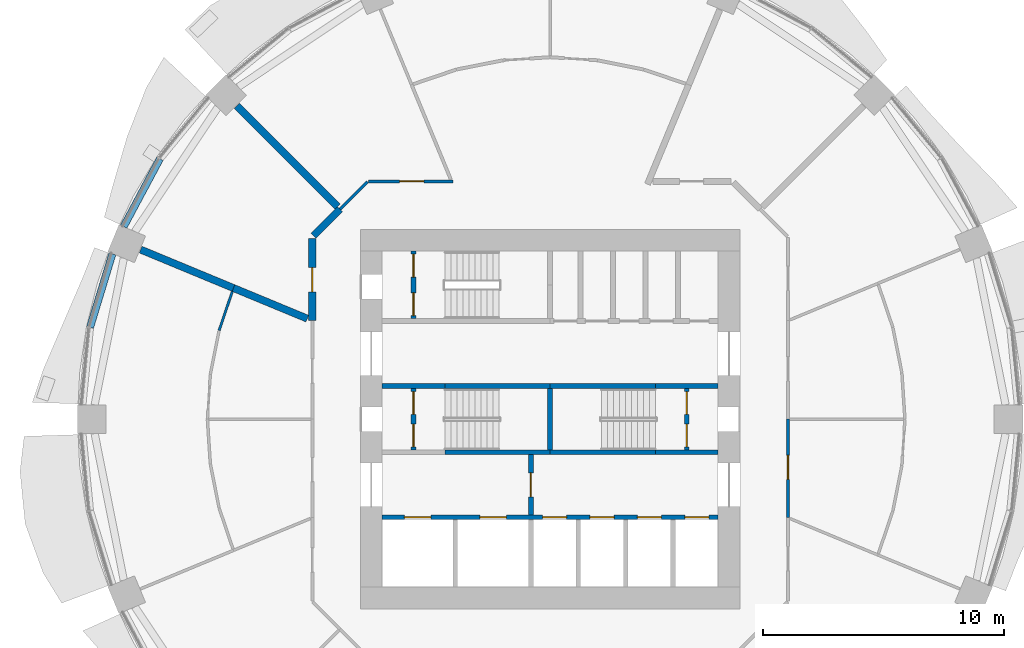
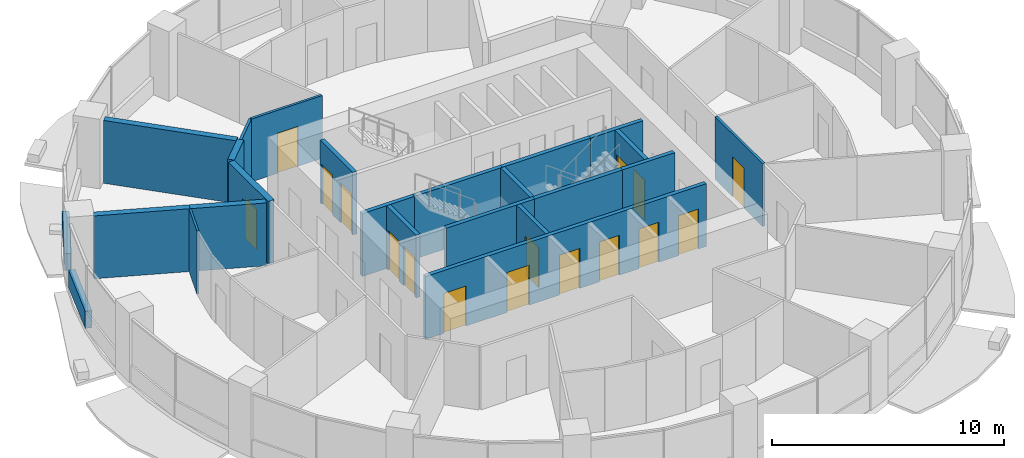
# One storey, part 9 of 15: 24 walls, 16 doors, 16 openings.
"""IFC4 building model written with IfcOpenShell, lengths in metres."""

from ifc_helpers import new_model, si_unit, direction, frame, frame_2d, origin, place, context, subcontext, project, spatial, rectangle, extrude, material, layer, layer_set, type_object, element, fill, save


model = new_model("IFC4")

# Units and contexts
model_context = context("Model", 3, precision=1e-05, world=origin(), true_north=direction((0.0, 1.0)))
body_context = subcontext(model_context, "Body", "Model", "MODEL_VIEW")
ifc_project = project(units=[si_unit("LENGTHUNIT", "METRE"), si_unit("AREAUNIT", "SQUARE_METRE"), si_unit("VOLUMEUNIT", "CUBIC_METRE"), si_unit("PLANEANGLEUNIT", "RADIAN"), si_unit("MASSUNIT", "GRAM", prefix="KILO")], contexts=[model_context])

# Site, building, storey
site_placement = place(None, origin())
site = spatial("IfcSite", under=ifc_project, at=site_placement, CompositionType="ELEMENT")
building_placement = place(site_placement, origin())
building = spatial("IfcBuilding", under=site, at=building_placement, Name="Polderwave Tower", CompositionType="ELEMENT")
storey_placement = place(building_placement, frame((0.0, 0.0, 48.10009765625)))
storey = spatial("IfcBuildingStorey", under=building, at=storey_placement, Name="L12", CompositionType="ELEMENT", Elevation=48.10009765625)

# Wall, opening, door
ifc_material_1 = material(Name="Insulated sandwich panel")
ifc_layer_1 = layer(ifc_material_1, 0.300048828125)
ifc_layer_set_1 = layer_set([ifc_layer_1], Name="Cold room wall 300 mm insulated panel")
wall_type_1 = type_object("IfcWallType", Name="Cold room wall 300 mm insulated panel", PredefinedType="PARTITIONING", material=ifc_layer_set_1)
wall_1_placement = place(storey_placement, frame((-9.8740234375, 4.08984375, 0.0), z_axis=(0.0, 0.0, 1.0), x_axis=(0.0, 1.0, 0.0)))
wall_1 = element("IfcWall", 1, at=wall_1_placement, inside=storey, type_object=wall_type_1, Name="IN-L12-W011", PredefinedType="PARTITIONING", context=body_context, shape_type="SweptSolid", body=[
    extrude(rectangle(XDim=3.419189453125, YDim=0.300048828125, at=frame_2d((1.70947265625, 0.0))), origin(), (0.0, 0.0, 1.0), 3.2998046875),
])
opening_1_placement = place(wall_1_placement, frame((1.199951171875, 0.0, 0.0)))
opening_1 = element("IfcOpeningElement", 2, at=opening_1_placement, cuts=wall_1, Name="Opening L12-D56", PredefinedType="OPENING", context=body_context, shape_type="SweptSolid", body=[
    extrude(rectangle(XDim=1.0, YDim=2.10009765625, at=frame_2d((0.5, 1.050048828125))), frame((0.0, 0.159912109375, 0.0), z_axis=(0.0, -1.0, 0.0), x_axis=(1.0, 0.0, 0.0)), (0.0, 0.0, 1.0), 0.320068359375),
])
ifc_material_2 = material(Name="Steel plant door leaf", Category="steel")
door_type_1 = type_object("IfcDoorType", Name="Plant door FD60 1000 x 2100 steel", OperationType="NOTDEFINED", PredefinedType="DOOR", material=ifc_material_2)
door_1_placement = place(opening_1_placement, origin())
door_1 = element("IfcDoor", 3, at=door_1_placement, inside=storey, type_object=door_type_1, Name="Door L12-D56", OperationType="SINGLE_SWING_LEFT", OverallHeight=2.10009765625, OverallWidth=1.0, PredefinedType="DOOR", context=body_context, shape_type="SweptSolid", body=[
    extrude(rectangle(XDim=1.0, YDim=2.10009765625, at=frame_2d((0.5, 1.050048828125))), frame((0.0, 0.02490234375, 0.0), z_axis=(0.0, -1.0, 0.0), x_axis=(1.0, 0.0, 0.0)), (0.0, 0.0, 1.0), 0.050048828125),
])
fill(opening_1, door_1)

# Walls
wall_2_placement = place(storey_placement, frame((-9.830078125, 7.614990234375, 0.0), z_axis=(0.0, 0.0, 1.0), x_axis=(0.70718471217, 0.707028841614, 0.0)))
element("IfcWall", 4, at=wall_2_placement, inside=storey, type_object=wall_type_1, Name="IN-L12-W012", PredefinedType="PARTITIONING", context=body_context, shape_type="SweptSolid", body=[
    extrude(rectangle(XDim=1.56640625, YDim=0.300048828125, at=frame_2d((0.783203125, 0.0))), origin(), (0.0, 0.0, 1.0), 3.2998046875),
])
wall_3_placement = place(storey_placement, frame((-8.82861328125, 8.82861328125, 0.0), z_axis=(0.0, 0.0, 1.0), x_axis=(-0.707106781187, 0.707106781187, 0.0)))
element("IfcWall", 5, at=wall_3_placement, inside=storey, type_object=wall_type_1, Name="IN-L12-W044", PredefinedType="PARTITIONING", context=body_context, shape_type="SweptSolid", body=[
    extrude(rectangle(XDim=5.914306640625, YDim=0.300048828125, at=frame_2d((2.95703125, 0.0))), origin(), (0.0, 0.0, 1.0), 3.2998046875),
])
wall_4_placement = place(storey_placement, frame((-10.081298828125, 4.17578125, 0.0), z_axis=(0.0, 0.0, 1.0), x_axis=(-0.923876033225, 0.382691880281, 0.0)))
element("IfcWall", 6, at=wall_4_placement, inside=storey, type_object=wall_type_1, Name="IN-L12-W045", PredefinedType="PARTITIONING", context=body_context, shape_type="SweptSolid", body=[
    extrude(rectangle(XDim=3.318115234375, YDim=0.300048828125, at=frame_2d((1.6591796875, 0.0))), origin(), (0.0, 0.0, 1.0), 3.2998046875),
])
wall_5_placement = place(storey_placement, frame((-13.146728515625, 5.445556640625, 0.0), z_axis=(0.0, 0.0, 1.0), x_axis=(-0.923873410436, 0.382698212028, 0.0)))
element("IfcWall", 7, at=wall_5_placement, inside=storey, type_object=wall_type_1, Name="IN-L12-W046", PredefinedType="PARTITIONING", context=body_context, shape_type="SweptSolid", body=[
    extrude(rectangle(XDim=4.170166015625, YDim=0.300048828125, at=frame_2d((2.0849609375, 0.0))), origin(), (0.0, 0.0, 1.0), 3.2998046875),
])
ifc_material_3 = material(Name="Concrete C50/60 (board-marked)", Category="concrete")
ifc_layer_2 = layer(ifc_material_3, 0.300048828125)
ifc_layer_set_2 = layer_set([ifc_layer_2], Name="Concrete spandrel upstand C50/60")
wall_type_2 = type_object("IfcWallType", Name="Concrete spandrel upstand C50/60", PredefinedType="SOLIDWALL", material=ifc_layer_set_2)
wall_6_placement = place(storey_placement, frame((-16.2041015625, 10.808837890625, 0.0), z_axis=(0.0, 0.0, 1.0), x_axis=(-0.471260138764, -0.881994263934, 0.0)))
element("IfcWall", 8, at=wall_6_placement, inside=storey, type_object=wall_type_2, Name="Spandrel L12 7b", PredefinedType="SOLIDWALL", context=body_context, shape_type="SweptSolid", body=[
    extrude(rectangle(XDim=3.1865234375, YDim=0.300048828125, at=frame_2d((1.59326171875, 0.0))), origin(), (0.0, 0.0, 1.0), 0.89990234375),
])
wall_7_placement = place(storey_placement, frame((-18.17529296875, 6.864501953125, 0.0), z_axis=(0.0, 0.0, 1.0), x_axis=(-0.290585541792, -0.956849017819, 0.0)))
element("IfcWall", 9, at=wall_7_placement, inside=storey, type_object=wall_type_2, Name="Spandrel L12 8a", PredefinedType="SOLIDWALL", context=body_context, shape_type="SweptSolid", body=[
    extrude(rectangle(XDim=3.1875, YDim=0.300048828125, at=frame_2d((1.59375, 0.0))), origin(), (0.0, 0.0, 1.0), 0.89990234375),
])

# Wall, opening, door
ifc_material_4 = material(Name="Gypsum board partition")
ifc_layer_3 = layer(ifc_material_4, 0.199951171875)
ifc_layer_set_3 = layer_set([ifc_layer_3], Name="Core room partition 200")
wall_type_3 = type_object("IfcWallType", Name="Core room partition 200", PredefinedType="PARTITIONING", material=ifc_layer_set_3)
wall_8_placement = place(storey_placement, frame((-0.800048828125, -3.97412109375, 0.0), z_axis=(0.0, 0.0, 1.0), x_axis=(0.0, 1.0, 0.0)))
wall_8 = element("IfcWall", 10, at=wall_8_placement, inside=storey, type_object=wall_type_3, Name="L12 fire-fighting lobby wall", PredefinedType="PARTITIONING", context=body_context, shape_type="SweptSolid", body=[
    extrude(rectangle(XDim=2.4990234375, YDim=0.199951171875, at=frame_2d((1.24951171875, 0.0))), origin(), (0.0, 0.0, 1.0), 3.2998046875),
])
opening_2_placement = place(wall_8_placement, frame((0.74951171875, 0.0, 0.0)))
opening_2 = element("IfcOpeningElement", 11, at=opening_2_placement, cuts=wall_8, Name="Opening L12-D13", PredefinedType="OPENING", context=body_context, shape_type="SweptSolid", body=[
    extrude(rectangle(XDim=1.0, YDim=2.10009765625, at=frame_2d((0.5, 1.050048828125))), frame((0.0, 0.10986328125, 0.0), z_axis=(0.0, -1.0, 0.0), x_axis=(1.0, 0.0, 0.0)), (0.0, 0.0, 1.0), 0.219970703125),
])
ifc_material_5 = material(Name="Steel fire door", Category="steel")
door_type_2 = type_object("IfcDoorType", Name="Lobby fire door 1000", OperationType="NOTDEFINED", PredefinedType="DOOR", material=ifc_material_5)
door_2_placement = place(opening_2_placement, frame((1.0, 0.0, 0.0), z_axis=(0.0, 0.0, 1.0), x_axis=(-1.0, 0.0, 0.0)))
door_2 = element("IfcDoor", 12, at=door_2_placement, inside=storey, type_object=door_type_2, Name="Fire-fighting lobby door", OperationType="SINGLE_SWING_LEFT", OverallHeight=2.10009765625, OverallWidth=1.0, PredefinedType="DOOR", context=body_context, shape_type="SweptSolid", body=[
    extrude(rectangle(XDim=1.0, YDim=2.10009765625, at=frame_2d((0.5, 1.050048828125))), frame((0.0, 0.02490234375, 0.0), z_axis=(0.0, -1.0, 0.0), x_axis=(1.0, 0.0, 0.0)), (0.0, 0.0, 1.0), 0.050048828125),
])
fill(opening_2, door_2)

# Wall, openings, doors
wall_9_placement = place(storey_placement, frame((-5.674072265625, -1.27490234375, 0.0), z_axis=(0.0, 0.0, 1.0), x_axis=(0.0, 1.0, 0.0)))
wall_9 = element("IfcWall", 13, at=wall_9_placement, inside=storey, type_object=wall_type_3, Name="L12 smoke lobby wall A", PredefinedType="PARTITIONING", context=body_context, shape_type="SweptSolid", body=[
    extrude(rectangle(XDim=2.5498046875, YDim=0.199951171875, at=frame_2d((1.27490234375, 0.0))), origin(), (0.0, 0.0, 1.0), 3.2998046875),
])
opening_3_placement = place(wall_9_placement, frame((0.125, 0.0, 0.0)))
opening_3 = element("IfcOpeningElement", 14, at=opening_3_placement, cuts=wall_9, Name="Opening L12-D07", PredefinedType="OPENING", context=body_context, shape_type="SweptSolid", body=[
    extrude(rectangle(XDim=0.949951171875, YDim=2.10009765625, at=frame_2d((0.47509765625, 1.050048828125))), frame((0.0, 0.10986328125, 0.0), z_axis=(0.0, -1.0, 0.0), x_axis=(1.0, 0.0, 0.0)), (0.0, 0.0, 1.0), 0.219970703125),
])
opening_4_placement = place(wall_9_placement, frame((1.47509765625, 0.0, 0.0)))
opening_4 = element("IfcOpeningElement", 15, at=opening_4_placement, cuts=wall_9, Name="Opening L12-D08", PredefinedType="OPENING", context=body_context, shape_type="SweptSolid", body=[
    extrude(rectangle(XDim=0.949951171875, YDim=2.10009765625, at=frame_2d((0.47509765625, 1.050048828125))), frame((0.0, 0.10986328125, 0.0), z_axis=(0.0, -1.0, 0.0), x_axis=(1.0, 0.0, 0.0)), (0.0, 0.0, 1.0), 0.219970703125),
])
door_type_3 = type_object("IfcDoorType", Name="Smoke lobby door 950", OperationType="NOTDEFINED", PredefinedType="DOOR", material=ifc_material_5)
door_3_placement = place(opening_3_placement, origin())
door_3 = element("IfcDoor", 16, at=door_3_placement, inside=storey, type_object=door_type_3, Name="Stair A smoke lobby inner door", OperationType="SINGLE_SWING_LEFT", OverallHeight=2.10009765625, OverallWidth=0.949951171875, PredefinedType="DOOR", context=body_context, shape_type="SweptSolid", body=[
    extrude(rectangle(XDim=0.949951171875, YDim=2.10009765625, at=frame_2d((0.47509765625, 1.050048828125))), frame((0.0, 0.02490234375, 0.0), z_axis=(0.0, -1.0, 0.0), x_axis=(1.0, 0.0, 0.0)), (0.0, 0.0, 1.0), 0.050048828125),
])
fill(opening_3, door_3)
door_4_placement = place(opening_4_placement, origin())
door_4 = element("IfcDoor", 17, at=door_4_placement, inside=storey, type_object=door_type_3, Name="Stair A smoke lobby inner door", OperationType="SINGLE_SWING_RIGHT", OverallHeight=2.10009765625, OverallWidth=0.949951171875, PredefinedType="DOOR", context=body_context, shape_type="SweptSolid", body=[
    extrude(rectangle(XDim=0.949951171875, YDim=2.10009765625, at=frame_2d((0.47509765625, 1.050048828125))), frame((0.0, 0.02490234375, 0.0), z_axis=(0.0, -1.0, 0.0), x_axis=(1.0, 0.0, 0.0)), (0.0, 0.0, 1.0), 0.050048828125),
])
fill(opening_4, door_4)

wall_10_placement = place(storey_placement, frame((5.674072265625, -1.27490234375, 0.0), z_axis=(0.0, 0.0, 1.0), x_axis=(0.0, 1.0, 0.0)))
wall_10 = element("IfcWall", 18, at=wall_10_placement, inside=storey, type_object=wall_type_3, Name="L12 smoke lobby wall B", PredefinedType="PARTITIONING", context=body_context, shape_type="SweptSolid", body=[
    extrude(rectangle(XDim=2.5498046875, YDim=0.199951171875, at=frame_2d((1.27490234375, 0.0))), origin(), (0.0, 0.0, 1.0), 3.2998046875),
])
opening_5_placement = place(wall_10_placement, frame((0.125, 0.0, 0.0)))
opening_5 = element("IfcOpeningElement", 19, at=opening_5_placement, cuts=wall_10, Name="Opening L12-D09", PredefinedType="OPENING", context=body_context, shape_type="SweptSolid", body=[
    extrude(rectangle(XDim=0.949951171875, YDim=2.10009765625, at=frame_2d((0.47509765625, 1.050048828125))), frame((0.0, 0.10986328125, 0.0), z_axis=(0.0, -1.0, 0.0), x_axis=(1.0, 0.0, 0.0)), (0.0, 0.0, 1.0), 0.219970703125),
])
opening_6_placement = place(wall_10_placement, frame((1.47509765625, 0.0, 0.0)))
opening_6 = element("IfcOpeningElement", 20, at=opening_6_placement, cuts=wall_10, Name="Opening L12-D10", PredefinedType="OPENING", context=body_context, shape_type="SweptSolid", body=[
    extrude(rectangle(XDim=0.949951171875, YDim=2.10009765625, at=frame_2d((0.47509765625, 1.050048828125))), frame((0.0, 0.10986328125, 0.0), z_axis=(0.0, -1.0, 0.0), x_axis=(1.0, 0.0, 0.0)), (0.0, 0.0, 1.0), 0.219970703125),
])
door_5_placement = place(opening_5_placement, frame((0.949951171875, 0.0, 0.0), z_axis=(0.0, 0.0, 1.0), x_axis=(-1.0, 0.0, 0.0)))
door_5 = element("IfcDoor", 21, at=door_5_placement, inside=storey, type_object=door_type_3, Name="Stair B smoke lobby inner door", OperationType="SINGLE_SWING_RIGHT", OverallHeight=2.10009765625, OverallWidth=0.949951171875, PredefinedType="DOOR", context=body_context, shape_type="SweptSolid", body=[
    extrude(rectangle(XDim=0.949951171875, YDim=2.10009765625, at=frame_2d((0.47509765625, 1.050048828125))), frame((0.0, 0.02490234375, 0.0), z_axis=(0.0, -1.0, 0.0), x_axis=(1.0, 0.0, 0.0)), (0.0, 0.0, 1.0), 0.050048828125),
])
fill(opening_5, door_5)
door_6_placement = place(opening_6_placement, frame((0.949951171875, 0.0, 0.0), z_axis=(0.0, 0.0, 1.0), x_axis=(-1.0, 0.0, 0.0)))
door_6 = element("IfcDoor", 22, at=door_6_placement, inside=storey, type_object=door_type_3, Name="Stair B smoke lobby inner door", OperationType="SINGLE_SWING_LEFT", OverallHeight=2.10009765625, OverallWidth=0.949951171875, PredefinedType="DOOR", context=body_context, shape_type="SweptSolid", body=[
    extrude(rectangle(XDim=0.949951171875, YDim=2.10009765625, at=frame_2d((0.47509765625, 1.050048828125))), frame((0.0, 0.02490234375, 0.0), z_axis=(0.0, -1.0, 0.0), x_axis=(1.0, 0.0, 0.0)), (0.0, 0.0, 1.0), 0.050048828125),
])
fill(opening_6, door_6)

wall_11_placement = place(storey_placement, frame((-5.674072265625, 4.174072265625, 0.0), z_axis=(0.0, 0.0, 1.0), x_axis=(0.0, 1.0, 0.0)))
wall_11 = element("IfcWall", 23, at=wall_11_placement, inside=storey, type_object=wall_type_3, Name="L12 smoke lobby wall C", PredefinedType="PARTITIONING", context=body_context, shape_type="SweptSolid", body=[
    extrude(rectangle(XDim=2.800048828125, YDim=0.199951171875, at=frame_2d((1.39990234375, 0.0))), origin(), (0.0, 0.0, 1.0), 3.2998046875),
])
opening_7_placement = place(wall_11_placement, frame((0.125, 0.0, 0.0)))
opening_7 = element("IfcOpeningElement", 24, at=opening_7_placement, cuts=wall_11, Name="Opening L12-D11", PredefinedType="OPENING", context=body_context, shape_type="SweptSolid", body=[
    extrude(rectangle(XDim=0.949951171875, YDim=2.10009765625, at=frame_2d((0.47509765625, 1.050048828125))), frame((0.0, 0.10986328125, 0.0), z_axis=(0.0, -1.0, 0.0), x_axis=(1.0, 0.0, 0.0)), (0.0, 0.0, 1.0), 0.219970703125),
])
opening_8_placement = place(wall_11_placement, frame((1.72509765625, 0.0, 0.0)))
opening_8 = element("IfcOpeningElement", 25, at=opening_8_placement, cuts=wall_11, Name="Opening L12-D12", PredefinedType="OPENING", context=body_context, shape_type="SweptSolid", body=[
    extrude(rectangle(XDim=0.949951171875, YDim=2.10009765625, at=frame_2d((0.47509765625, 1.050048828125))), frame((0.0, 0.10986328125, 0.0), z_axis=(0.0, -1.0, 0.0), x_axis=(1.0, 0.0, 0.0)), (0.0, 0.0, 1.0), 0.219970703125),
])
door_7_placement = place(opening_7_placement, origin())
door_7 = element("IfcDoor", 26, at=door_7_placement, inside=storey, type_object=door_type_3, Name="Stair C smoke lobby inner door", OperationType="SINGLE_SWING_LEFT", OverallHeight=2.10009765625, OverallWidth=0.949951171875, PredefinedType="DOOR", context=body_context, shape_type="SweptSolid", body=[
    extrude(rectangle(XDim=0.949951171875, YDim=2.10009765625, at=frame_2d((0.47509765625, 1.050048828125))), frame((0.0, 0.02490234375, 0.0), z_axis=(0.0, -1.0, 0.0), x_axis=(1.0, 0.0, 0.0)), (0.0, 0.0, 1.0), 0.050048828125),
])
fill(opening_7, door_7)
door_8_placement = place(opening_8_placement, origin())
door_8 = element("IfcDoor", 27, at=door_8_placement, inside=storey, type_object=door_type_3, Name="Stair C smoke lobby inner door", OperationType="SINGLE_SWING_RIGHT", OverallHeight=2.10009765625, OverallWidth=0.949951171875, PredefinedType="DOOR", context=body_context, shape_type="SweptSolid", body=[
    extrude(rectangle(XDim=0.949951171875, YDim=2.10009765625, at=frame_2d((0.47509765625, 1.050048828125))), frame((0.0, 0.02490234375, 0.0), z_axis=(0.0, -1.0, 0.0), x_axis=(1.0, 0.0, 0.0)), (0.0, 0.0, 1.0), 0.050048828125),
])
fill(opening_8, door_8)

ifc_material_6 = material(Name="Concrete C50/60", Category="concrete")
ifc_layer_4 = layer(ifc_material_6, 0.199951171875)
ifc_layer_set_4 = layer_set([ifc_layer_4], Name="Core web wall 200")
wall_type_4 = type_object("IfcWallType", Name="Core web wall 200", PredefinedType="SHEAR", material=ifc_layer_set_4)
wall_12_placement = place(storey_placement, frame((-6.97412109375, -4.073974609375, 0.0), z_axis=(0.0, 0.0, 1.0), x_axis=(1.0, 0.0, 0.0)))
wall_12 = element("IfcWall", 28, at=wall_12_placement, inside=storey, type_object=wall_type_4, Name="L12 south front wall", PredefinedType="SHEAR", context=body_context, shape_type="SweptSolid", body=[
    extrude(rectangle(XDim=13.9482421875, YDim=0.199951171875, at=frame_2d((6.97412109375, 0.0))), origin(), (0.0, 0.0, 1.0), 3.2998046875),
])
opening_9_placement = place(wall_12_placement, frame((0.91845703125, 0.0, 0.0)))
opening_9 = element("IfcOpeningElement", 29, at=opening_9_placement, cuts=wall_12, Name="Opening L12-D01", PredefinedType="OPENING", context=body_context, shape_type="SweptSolid", body=[
    extrude(rectangle(XDim=1.10009765625, YDim=2.10009765625, at=frame_2d((0.550048828125, 1.050048828125))), frame((0.0, 0.10986328125, 0.0), z_axis=(0.0, -1.0, 0.0), x_axis=(1.0, 0.0, 0.0)), (0.0, 0.0, 1.0), 0.219970703125),
])
opening_10_placement = place(wall_12_placement, frame((4.055419921875, 0.0, 0.0)))
opening_10 = element("IfcOpeningElement", 30, at=opening_10_placement, cuts=wall_12, Name="Opening L12-D02", PredefinedType="OPENING", context=body_context, shape_type="SweptSolid", body=[
    extrude(rectangle(XDim=1.10009765625, YDim=2.10009765625, at=frame_2d((0.550048828125, 1.050048828125))), frame((0.0, 0.10986328125, 0.0), z_axis=(0.0, -1.0, 0.0), x_axis=(1.0, 0.0, 0.0)), (0.0, 0.0, 1.0), 0.219970703125),
])
opening_11_placement = place(wall_12_placement, frame((6.658203125, 0.0, 0.0)))
opening_11 = element("IfcOpeningElement", 31, at=opening_11_placement, cuts=wall_12, Name="Opening L12-D03", PredefinedType="OPENING", context=body_context, shape_type="SweptSolid", body=[
    extrude(rectangle(XDim=1.0, YDim=2.10009765625, at=frame_2d((0.5, 1.050048828125))), frame((0.0, 0.10986328125, 0.0), z_axis=(0.0, -1.0, 0.0), x_axis=(1.0, 0.0, 0.0)), (0.0, 0.0, 1.0), 0.219970703125),
])
opening_12_placement = place(wall_12_placement, frame((8.626708984375, 0.0, 0.0)))
opening_12 = element("IfcOpeningElement", 32, at=opening_12_placement, cuts=wall_12, Name="Opening L12-D04", PredefinedType="OPENING", context=body_context, shape_type="SweptSolid", body=[
    extrude(rectangle(XDim=1.0, YDim=2.10009765625, at=frame_2d((0.5, 1.050048828125))), frame((0.0, 0.10986328125, 0.0), z_axis=(0.0, -1.0, 0.0), x_axis=(1.0, 0.0, 0.0)), (0.0, 0.0, 1.0), 0.219970703125),
])
opening_13_placement = place(wall_12_placement, frame((10.59521484375, 0.0, 0.0)))
opening_13 = element("IfcOpeningElement", 33, at=opening_13_placement, cuts=wall_12, Name="Opening L12-D05", PredefinedType="OPENING", context=body_context, shape_type="SweptSolid", body=[
    extrude(rectangle(XDim=1.0, YDim=2.10009765625, at=frame_2d((0.5, 1.050048828125))), frame((0.0, 0.10986328125, 0.0), z_axis=(0.0, -1.0, 0.0), x_axis=(1.0, 0.0, 0.0)), (0.0, 0.0, 1.0), 0.219970703125),
])
opening_14_placement = place(wall_12_placement, frame((12.563720703125, 0.0, 0.0)))
opening_14 = element("IfcOpeningElement", 34, at=opening_14_placement, cuts=wall_12, Name="Opening L12-D06", PredefinedType="OPENING", context=body_context, shape_type="SweptSolid", body=[
    extrude(rectangle(XDim=1.0, YDim=2.10009765625, at=frame_2d((0.5, 1.050048828125))), frame((0.0, 0.10986328125, 0.0), z_axis=(0.0, -1.0, 0.0), x_axis=(1.0, 0.0, 0.0)), (0.0, 0.0, 1.0), 0.219970703125),
])
ifc_material_7 = material(Name="Stainless steel", Category="steel")
door_type_4 = type_object("IfcDoorType", Name="Fire-fighting lift landing door 1100", OperationType="DOUBLE_DOOR_SLIDING", PredefinedType="DOOR", material=ifc_material_7)
door_9_placement = place(opening_9_placement, origin())
door_9 = element("IfcDoor", 35, at=door_9_placement, inside=storey, type_object=door_type_4, Name="Fire-fighting lift FF1 landing door", OperationType="DOUBLE_DOOR_SLIDING", OverallHeight=2.10009765625, OverallWidth=1.10009765625, PredefinedType="DOOR", context=body_context, shape_type="SweptSolid", body=[
    extrude(rectangle(XDim=1.10009765625, YDim=2.10009765625, at=frame_2d((0.550048828125, 1.050048828125))), frame((0.0, 0.02490234375, 0.0), z_axis=(0.0, -1.0, 0.0), x_axis=(1.0, 0.0, 0.0)), (0.0, 0.0, 1.0), 0.050048828125),
])
fill(opening_9, door_9)
door_10_placement = place(opening_10_placement, origin())
door_10 = element("IfcDoor", 36, at=door_10_placement, inside=storey, type_object=door_type_4, Name="Fire-fighting lift FF2 landing door", OperationType="DOUBLE_DOOR_SLIDING", OverallHeight=2.10009765625, OverallWidth=1.10009765625, PredefinedType="DOOR", context=body_context, shape_type="SweptSolid", body=[
    extrude(rectangle(XDim=1.10009765625, YDim=2.10009765625, at=frame_2d((0.550048828125, 1.050048828125))), frame((0.0, 0.02490234375, 0.0), z_axis=(0.0, -1.0, 0.0), x_axis=(1.0, 0.0, 0.0)), (0.0, 0.0, 1.0), 0.050048828125),
])
fill(opening_10, door_10)
door_type_5 = type_object("IfcDoorType", Name="Lift landing door 1000", OperationType="DOUBLE_DOOR_SLIDING", PredefinedType="DOOR", material=ifc_material_7)
door_11_placement = place(opening_11_placement, origin())
door_11 = element("IfcDoor", 37, at=door_11_placement, inside=storey, type_object=door_type_5, Name="Lift LL1 landing door", OperationType="DOUBLE_DOOR_SLIDING", OverallHeight=2.10009765625, OverallWidth=1.0, PredefinedType="DOOR", context=body_context, shape_type="SweptSolid", body=[
    extrude(rectangle(XDim=1.0, YDim=2.10009765625, at=frame_2d((0.5, 1.050048828125))), frame((0.0, 0.02490234375, 0.0), z_axis=(0.0, -1.0, 0.0), x_axis=(1.0, 0.0, 0.0)), (0.0, 0.0, 1.0), 0.050048828125),
])
fill(opening_11, door_11)
door_12_placement = place(opening_12_placement, origin())
door_12 = element("IfcDoor", 38, at=door_12_placement, inside=storey, type_object=door_type_5, Name="Lift LL2 landing door", OperationType="DOUBLE_DOOR_SLIDING", OverallHeight=2.10009765625, OverallWidth=1.0, PredefinedType="DOOR", context=body_context, shape_type="SweptSolid", body=[
    extrude(rectangle(XDim=1.0, YDim=2.10009765625, at=frame_2d((0.5, 1.050048828125))), frame((0.0, 0.02490234375, 0.0), z_axis=(0.0, -1.0, 0.0), x_axis=(1.0, 0.0, 0.0)), (0.0, 0.0, 1.0), 0.050048828125),
])
fill(opening_12, door_12)
door_13_placement = place(opening_13_placement, origin())
door_13 = element("IfcDoor", 39, at=door_13_placement, inside=storey, type_object=door_type_5, Name="Lift LL3 landing door", OperationType="DOUBLE_DOOR_SLIDING", OverallHeight=2.10009765625, OverallWidth=1.0, PredefinedType="DOOR", context=body_context, shape_type="SweptSolid", body=[
    extrude(rectangle(XDim=1.0, YDim=2.10009765625, at=frame_2d((0.5, 1.050048828125))), frame((0.0, 0.02490234375, 0.0), z_axis=(0.0, -1.0, 0.0), x_axis=(1.0, 0.0, 0.0)), (0.0, 0.0, 1.0), 0.050048828125),
])
fill(opening_13, door_13)
door_14_placement = place(opening_14_placement, origin())
door_14 = element("IfcDoor", 40, at=door_14_placement, inside=storey, type_object=door_type_5, Name="Lift LL4 landing door", OperationType="DOUBLE_DOOR_SLIDING", OverallHeight=2.10009765625, OverallWidth=1.0, PredefinedType="DOOR", context=body_context, shape_type="SweptSolid", body=[
    extrude(rectangle(XDim=1.0, YDim=2.10009765625, at=frame_2d((0.5, 1.050048828125))), frame((0.0, 0.02490234375, 0.0), z_axis=(0.0, -1.0, 0.0), x_axis=(1.0, 0.0, 0.0)), (0.0, 0.0, 1.0), 0.050048828125),
])
fill(opening_14, door_14)

# Walls
for number, where, z_axis, x_axis, name in (
    (41, (-4.3740234375, -1.375, 0.0), (0.0, 0.0, 1.0), (1.0, 0.0, 0.0), "L12 south stair wall 2"),
    (42, (0.0, -1.375, 0.0), (0.0, 0.0, 1.0), (1.0, 0.0, 0.0), "L12 south stair wall 3"),
):
    element("IfcWall", number, at=place(storey_placement, frame(where, z_axis=z_axis, x_axis=x_axis)), inside=storey, type_object=wall_type_4, Name=name, PredefinedType="SHEAR", context=body_context, shape_type="SweptSolid", body=[
        extrude(rectangle(XDim=4.3740234375, YDim=0.199951171875, at=frame_2d((2.18701171875, 0.0))), origin(), (0.0, 0.0, 1.0), 3.2998046875),
    ])
for number, where, z_axis, x_axis, name in (
    (43, (4.3740234375, -1.375, 0.0), (0.0, 0.0, 1.0), (1.0, 0.0, 0.0), "L12 south stair wall 4"),
    (44, (-6.97412109375, 1.375, 0.0), (0.0, 0.0, 1.0), (1.0, 0.0, 0.0), "L12 north stair wall 1"),
):
    element("IfcWall", number, at=place(storey_placement, frame(where, z_axis=z_axis, x_axis=x_axis)), inside=storey, type_object=wall_type_4, Name=name, PredefinedType="SHEAR", context=body_context, shape_type="SweptSolid", body=[
        extrude(rectangle(XDim=2.60009765625, YDim=0.199951171875, at=frame_2d((1.300048828125, 0.0))), origin(), (0.0, 0.0, 1.0), 3.2998046875),
    ])
for number, where, z_axis, x_axis, name in (
    (45, (-4.3740234375, 1.375, 0.0), (0.0, 0.0, 1.0), (1.0, 0.0, 0.0), "L12 north stair wall 2"),
    (46, (0.0, 1.375, 0.0), (0.0, 0.0, 1.0), (1.0, 0.0, 0.0), "L12 north stair wall 3"),
):
    element("IfcWall", number, at=place(storey_placement, frame(where, z_axis=z_axis, x_axis=x_axis)), inside=storey, type_object=wall_type_4, Name=name, PredefinedType="SHEAR", context=body_context, shape_type="SweptSolid", body=[
        extrude(rectangle(XDim=4.3740234375, YDim=0.199951171875, at=frame_2d((2.18701171875, 0.0))), origin(), (0.0, 0.0, 1.0), 3.2998046875),
    ])
wall_13_placement = place(storey_placement, frame((4.3740234375, 1.375, 0.0), z_axis=(0.0, 0.0, 1.0), x_axis=(1.0, 0.0, 0.0)))
element("IfcWall", 47, at=wall_13_placement, inside=storey, type_object=wall_type_4, Name="L12 north stair wall 4", PredefinedType="SHEAR", context=body_context, shape_type="SweptSolid", body=[
    extrude(rectangle(XDim=2.60009765625, YDim=0.199951171875, at=frame_2d((1.300048828125, 0.0))), origin(), (0.0, 0.0, 1.0), 3.2998046875),
])
wall_14_placement = place(storey_placement, frame((0.0, -1.27490234375, 0.0), z_axis=(0.0, 0.0, 1.0), x_axis=(0.0, 1.0, 0.0)))
element("IfcWall", 48, at=wall_14_placement, inside=storey, type_object=wall_type_4, Name="L12 wall between the stairs", PredefinedType="SHEAR", context=body_context, shape_type="SweptSolid", body=[
    extrude(rectangle(XDim=2.5498046875, YDim=0.199951171875, at=frame_2d((1.27490234375, 0.0))), origin(), (0.0, 0.0, 1.0), 3.2998046875),
])

# Wall, opening, door
ifc_material_8 = material(Name="Fire-resisting board on steel studs", Category="steel")
ifc_layer_5 = layer(ifc_material_8, 0.125)
ifc_layer_set_5 = layer_set([ifc_layer_5], Name="Corridor wall 125 mm EI 60")
wall_type_5 = type_object("IfcWallType", Name="Corridor wall 125 mm EI 60", PredefinedType="PARTITIONING", material=ifc_layer_set_5)
wall_15_placement = place(storey_placement, frame((9.8740234375, 0.0, 0.0), z_axis=(0.0, 0.0, 1.0), x_axis=(0.0, -1.0, 0.0)))
wall_15 = element("IfcWall", 49, at=wall_15_placement, inside=storey, type_object=wall_type_5, Name="IN-L12-W006", PredefinedType="PARTITIONING", context=body_context, shape_type="SweptSolid", body=[
    extrude(rectangle(XDim=4.08984375, YDim=0.125, at=frame_2d((2.044921875, 0.0))), origin(), (0.0, 0.0, 1.0), 3.2998046875),
])
opening_15_placement = place(wall_15_placement, frame((1.5, 0.0, 0.0)))
opening_15 = element("IfcOpeningElement", 50, at=opening_15_placement, cuts=wall_15, Name="Opening L12-D53", PredefinedType="OPENING", context=body_context, shape_type="SweptSolid", body=[
    extrude(rectangle(XDim=1.0, YDim=2.10009765625, at=frame_2d((0.5, 1.050048828125))), frame((0.0, 0.072509765625, 0.0), z_axis=(0.0, -1.0, 0.0), x_axis=(1.0, 0.0, 0.0)), (0.0, 0.0, 1.0), 0.14501953125),
])
ifc_material_9 = material(Name="Timber fire door leaf", Category="wood")
door_type_6 = type_object("IfcDoorType", Name="Fire door FD30S 1000 x 2100", OperationType="NOTDEFINED", PredefinedType="DOOR", material=ifc_material_9)
door_15_placement = place(opening_15_placement, origin())
door_15 = element("IfcDoor", 51, at=door_15_placement, inside=storey, type_object=door_type_6, Name="Door L12-D53", OperationType="SINGLE_SWING_LEFT", OverallHeight=2.10009765625, OverallWidth=1.0, PredefinedType="DOOR", context=body_context, shape_type="SweptSolid", body=[
    extrude(rectangle(XDim=1.0, YDim=2.10009765625, at=frame_2d((0.5, 1.050048828125))), frame((0.0, 0.02490234375, 0.0), z_axis=(0.0, -1.0, 0.0), x_axis=(1.0, 0.0, 0.0)), (0.0, 0.0, 1.0), 0.050048828125),
])
fill(opening_15, door_15)

# Wall
wall_16_placement = place(storey_placement, frame((-8.722412109375, 8.722412109375, 0.0), z_axis=(0.0, 0.0, 1.0), x_axis=(0.707030604857, 0.70718294931, 0.0)))
element("IfcWall", 52, at=wall_16_placement, inside=storey, type_object=wall_type_5, Name="IN-L12-W009", PredefinedType="PARTITIONING", context=body_context, shape_type="SweptSolid", body=[
    extrude(rectangle(XDim=1.6025390625, YDim=0.125, at=frame_2d((0.80126953125, 0.0))), origin(), (0.0, 0.0, 1.0), 3.2998046875),
])

# Wall, opening, door
wall_17_placement = place(storey_placement, frame((-7.545166015625, 9.8740234375, 0.0), z_axis=(0.0, 0.0, 1.0), x_axis=(1.0, 0.0, 0.0)))
wall_17 = element("IfcWall", 53, at=wall_17_placement, inside=storey, type_object=wall_type_5, Name="IN-L12-W010", PredefinedType="PARTITIONING", context=body_context, shape_type="SweptSolid", body=[
    extrude(rectangle(XDim=3.517822265625, YDim=0.125, at=frame_2d((1.7587890625, 0.0))), origin(), (0.0, 0.0, 1.0), 3.2998046875),
])
opening_16_placement = place(wall_17_placement, frame((1.300048828125, 0.0, 0.0)))
opening_16 = element("IfcOpeningElement", 54, at=opening_16_placement, cuts=wall_17, Name="Opening L12-D55", PredefinedType="OPENING", context=body_context, shape_type="SweptSolid", body=[
    extrude(rectangle(XDim=1.0, YDim=2.10009765625, at=frame_2d((0.5, 1.050048828125))), frame((0.0, 0.072509765625, 0.0), z_axis=(0.0, -1.0, 0.0), x_axis=(1.0, 0.0, 0.0)), (0.0, 0.0, 1.0), 0.14501953125),
])
door_16_placement = place(opening_16_placement, origin())
door_16 = element("IfcDoor", 55, at=door_16_placement, inside=storey, type_object=door_type_6, Name="Door L12-D55", OperationType="SINGLE_SWING_RIGHT", OverallHeight=2.10009765625, OverallWidth=1.0, PredefinedType="DOOR", context=body_context, shape_type="SweptSolid", body=[
    extrude(rectangle(XDim=1.0, YDim=2.10009765625, at=frame_2d((0.5, 1.050048828125))), frame((0.0, 0.02490234375, 0.0), z_axis=(0.0, -1.0, 0.0), x_axis=(1.0, 0.0, 0.0)), (0.0, 0.0, 1.0), 0.050048828125),
])
fill(opening_16, door_16)

# Wall
ifc_material_10 = material(Name="Plasterboard on steel studs", Category="steel")
ifc_layer_6 = layer(ifc_material_10, 0.10009765625)
ifc_layer_set_6 = layer_set([ifc_layer_6], Name="Partition 100 mm plasterboard on steel studs")
wall_type_6 = type_object("IfcWallType", Name="Partition 100 mm plasterboard on steel studs", PredefinedType="PARTITIONING", material=ifc_layer_set_6)
wall_18_placement = place(storey_placement, frame((-13.743896484375, 3.68603515625, 0.0), z_axis=(0.0, 0.0, 1.0), x_axis=(0.321250473512, 0.946994262532, 0.0)))
element("IfcWall", 56, at=wall_18_placement, inside=storey, type_object=wall_type_6, Name="IN-L12-W049", PredefinedType="PARTITIONING", context=body_context, shape_type="SweptSolid", body=[
    extrude(rectangle(XDim=1.70458984375, YDim=0.10009765625, at=frame_2d((0.852294921875, 0.0))), origin(), (0.0, 0.0, 1.0), 3.2998046875),
])

save(model, "model.ifc")
